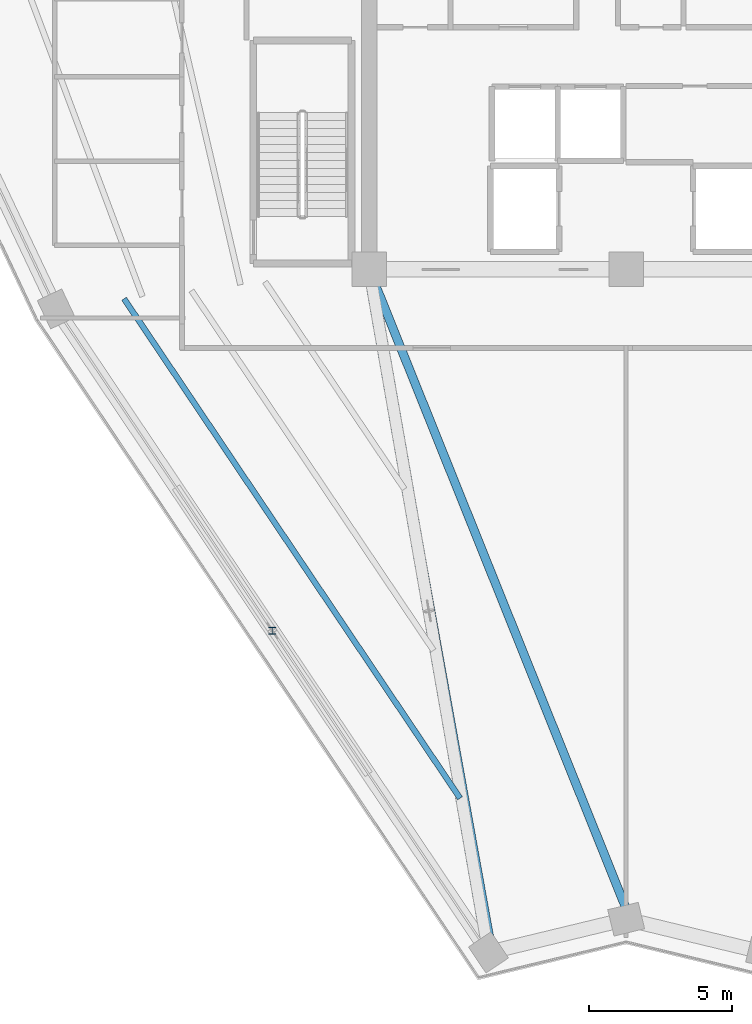
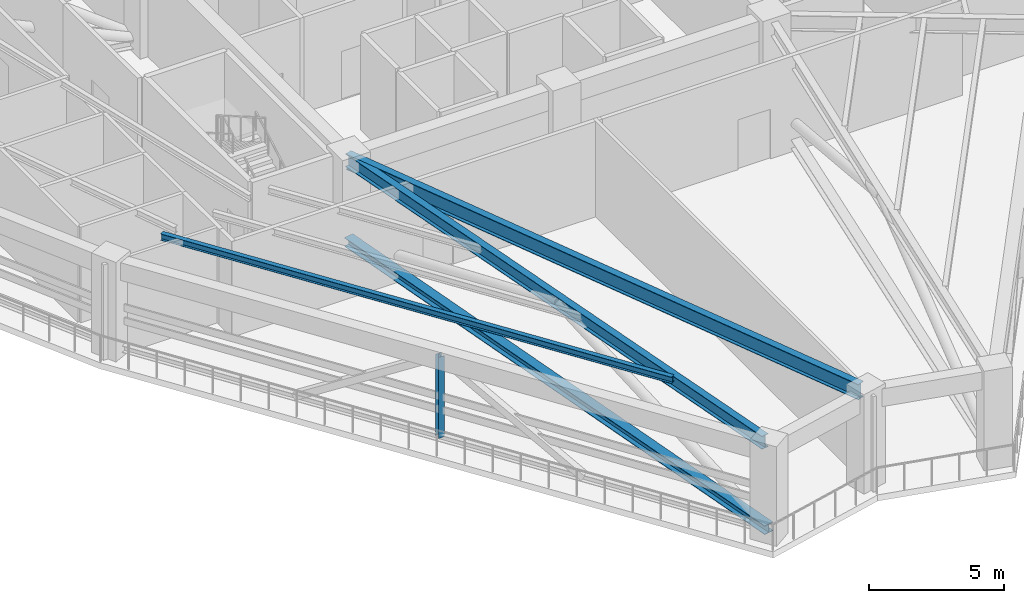
# One storey, part 2 of 22: 3 beams, 2 members.
"""IFC4 building model written with IfcOpenShell, lengths in metres."""

from ifc_helpers import new_model, si_unit, direction, frame, origin, origin_2d, place, context, subcontext, project, spatial, i_section, extrude, source, transform, mapped, material, material_profile, profile_set, type_object, element, save


model = new_model("IFC4")

# Units and contexts
model_context = context("Model", 3, precision=1e-05, world=origin(), true_north=direction((0.0, 1.0)))
body_context = subcontext(model_context, "Body", "Model", "MODEL_VIEW")
ifc_project = project(units=[si_unit("LENGTHUNIT", "METRE"), si_unit("AREAUNIT", "SQUARE_METRE"), si_unit("VOLUMEUNIT", "CUBIC_METRE"), si_unit("PLANEANGLEUNIT", "RADIAN"), si_unit("MASSUNIT", "GRAM", prefix="KILO")], contexts=[model_context])

# Site, building, storey
site_placement = place(None, origin())
site = spatial("IfcSite", under=ifc_project, at=site_placement, CompositionType="ELEMENT")
building_placement = place(site_placement, origin())
building = spatial("IfcBuilding", under=site, at=building_placement, Name="Liaohun Quay Tower", CompositionType="ELEMENT")
storey_placement = place(building_placement, frame((0.0, 0.0, 324.0)))
storey = spatial("IfcBuildingStorey", under=building, at=storey_placement, Name="L84", CompositionType="ELEMENT", Elevation=324.0)

# Member
ifc_material_1 = material(Name="Steel Q355D", Category="steel")
ifc_material_profile_1 = material_profile(ifc_material_1, i_section(OverallWidth=0.25, OverallDepth=0.25, WebThickness=0.009033203125, FlangeThickness=0.013916015625, at=origin_2d()), Name="HW250x250x9x14")
ifc_profile_set_1 = profile_set([ifc_material_profile_1], Name="Steel Q355D")
member_type_1 = type_object("IfcMemberType", Name="MEM-BLT-PST", PredefinedType="POST", material=ifc_profile_set_1)
shared_shape_1 = source(origin(), body_context, "Body", "SweptSolid", [
    extrude(i_section(OverallWidth=0.25, OverallDepth=0.25, WebThickness=0.009033203125, FlangeThickness=0.013916015625, at=origin_2d()), origin(), (0.0, 0.0, 1.0), 3.669921875),
])
member_1_placement = place(storey_placement, frame((47.60595703125, 33.842041015625, 0.35009765625), z_axis=(0.0, 0.0, 1.0), x_axis=(1.0, 0.0, 0.0)))
element("IfcMember", 1, at=member_1_placement, inside=storey, type_object=member_type_1, Name="L84 Belt Truss Vertical Post BP-1-01", PredefinedType="POST", context=body_context, shape_type="MappedRepresentation", body=[
    mapped(shared_shape_1, transform((0.0, 0.0, 0.0), x_axis=(1.0, 0.0, 0.0), y_axis=(0.0, 1.0, 0.0), z_axis=(0.0, 0.0, 1.0), scale=1.0)),
])

# Beams
ifc_material_profile_2 = material_profile(ifc_material_1, i_section(OverallWidth=0.300048828125, OverallDepth=0.587890625, WebThickness=0.011962890625, FlangeThickness=0.02001953125, at=origin_2d()), Name="HM588x300x12x20")
ifc_profile_set_2 = profile_set([ifc_material_profile_2], Name="Steel Q355D")
beam_type_1 = type_object("IfcBeamType", Name="BM-RAD-U2", PredefinedType="BEAM", material=ifc_profile_set_2)
shared_shape_2 = source(origin(), body_context, "Body", "SweptSolid", [
    extrude(i_section(OverallWidth=0.300048828125, OverallDepth=0.587890625, WebThickness=0.011962890625, FlangeThickness=0.02001953125, at=origin_2d()), origin(), (0.0, 0.0, 1.0), 23.92431640625),
])
beam_1_placement = place(storey_placement, frame((51.0, 46.5, 4.02587890625), z_axis=(0.177143904593, -0.9841849608, 0.0), x_axis=(0.9841849608, 0.177143904593, 0.0)))
element("IfcBeam", 2, at=beam_1_placement, inside=storey, type_object=beam_type_1, Name="L84 Radial Primary Girder CC1-PC01", PredefinedType="BEAM", context=body_context, shape_type="MappedRepresentation", body=[
    mapped(shared_shape_2, transform((0.0, 0.0, 0.0), x_axis=(1.0, 0.0, 0.0), y_axis=(0.0, 1.0, 0.0), z_axis=(0.0, 0.0, 1.0), scale=1.0)),
])
ifc_material_profile_3 = material_profile(ifc_material_1, i_section(OverallWidth=0.300048828125, OverallDepth=0.699951171875, WebThickness=0.012939453125, FlangeThickness=0.02392578125, at=origin_2d()), Name="HN700x300x13x24")
ifc_profile_set_3 = profile_set([ifc_material_profile_3], Name="Steel Q355D")
beam_type_2 = type_object("IfcBeamType", Name="BM-RAD-U1", PredefinedType="BEAM", material=ifc_profile_set_3)
shared_shape_3 = source(origin(), body_context, "Body", "SweptSolid", [
    extrude(i_section(OverallWidth=0.300048828125, OverallDepth=0.699951171875, WebThickness=0.012939453125, FlangeThickness=0.02392578125, at=origin_2d()), origin(), (0.0, 0.0, 1.0), 24.13671875),
])
beam_2_placement = place(storey_placement, frame((51.0, 46.5, 3.969970703125), z_axis=(0.372876046209, -0.927881163816, 0.0), x_axis=(0.927881163816, 0.372876046209, 0.0)))
element("IfcBeam", 3, at=beam_2_placement, inside=storey, type_object=beam_type_2, Name="L84 Radial Primary Girder CC1-PC12", PredefinedType="BEAM", context=body_context, shape_type="MappedRepresentation", body=[
    mapped(shared_shape_3, transform((0.0, 0.0, 0.0), x_axis=(1.0, 0.0, 0.0), y_axis=(0.0, 1.0, 0.0), z_axis=(0.0, 0.0, 1.0), scale=1.0)),
])
ifc_material_profile_4 = material_profile(ifc_material_1, i_section(OverallWidth=0.199951171875, OverallDepth=0.2939453125, WebThickness=0.008056640625, FlangeThickness=0.011962890625, at=origin_2d()), Name="HM294x200x8x12")
ifc_profile_set_4 = profile_set([ifc_material_profile_4], Name="Steel Q355D")
beam_type_3 = type_object("IfcBeamType", Name="BM-SEC-J4", PredefinedType="JOIST", material=ifc_profile_set_4)
shared_shape_4 = source(origin(), body_context, "Body", "SweptSolid", [
    extrude(i_section(OverallWidth=0.199951171875, OverallDepth=0.2939453125, WebThickness=0.008056640625, FlangeThickness=0.011962890625, at=origin_2d()), origin(), (0.0, 0.0, 1.0), 21.08740234375),
])
beam_3_placement = place(storey_placement, frame((54.181884765625, 27.972900390625, 4.173095703125), z_axis=(-0.558144665099, 0.829743654885, 0.0), x_axis=(-0.829743654885, -0.558144665099, 0.0)))
element("IfcBeam", 4, at=beam_3_placement, inside=storey, type_object=beam_type_3, Name="L84 Wing Secondary Floor Joist SJ-03", PredefinedType="JOIST", context=body_context, shape_type="MappedRepresentation", body=[
    mapped(shared_shape_4, transform((0.0, 0.0, 0.0), x_axis=(1.0, 0.0, 0.0), y_axis=(0.0, 1.0, 0.0), z_axis=(0.0, 0.0, 1.0), scale=1.0)),
])

# Member
ifc_material_2 = material(Name="Steel Q420D", Category="steel")
ifc_material_profile_5 = material_profile(ifc_material_2, i_section(OverallWidth=0.407958984375, OverallDepth=0.39990234375, WebThickness=0.02099609375, FlangeThickness=0.02099609375, at=origin_2d()), Name="HW400x408x21x21")
ifc_profile_set_5 = profile_set([ifc_material_profile_5], Name="Steel Q420D")
member_type_2 = type_object("IfcMemberType", Name="MEM-OUT-CH2", PredefinedType="CHORD", material=ifc_profile_set_5)
shared_shape_5 = source(origin(), body_context, "Body", "SweptSolid", [
    extrude(i_section(OverallWidth=0.407958984375, OverallDepth=0.39990234375, WebThickness=0.02099609375, FlangeThickness=0.02099609375, at=origin_2d()), origin(), (0.0, 0.0, 1.0), 24.290771484375),
])
member_2_placement = place(storey_placement, frame((51.0, 46.5, 0.35009765625), z_axis=(0.171958294112, -0.98510423057, 0.0), x_axis=(0.98510423057, 0.171958294112, 0.0)))
element("IfcMember", 5, at=member_2_placement, inside=storey, type_object=member_type_2, Name="L84 Outrigger Bottom Chord OC-01", PredefinedType="CHORD", context=body_context, shape_type="MappedRepresentation", body=[
    mapped(shared_shape_5, transform((0.0, 0.0, 0.0), x_axis=(1.0, 0.0, 0.0), y_axis=(0.0, 1.0, 0.0), z_axis=(0.0, 0.0, 1.0), scale=1.0)),
])

save(model, "model.ifc")
